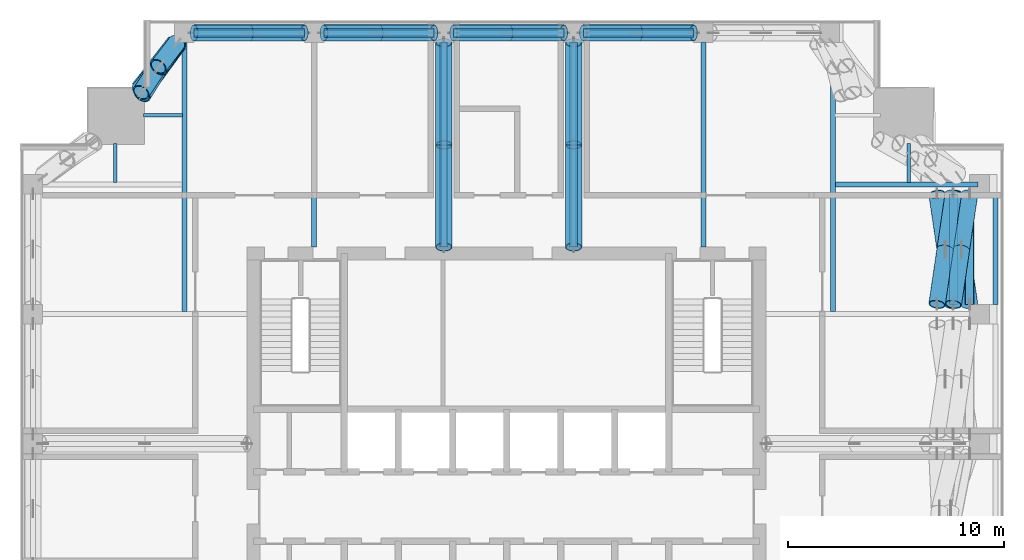
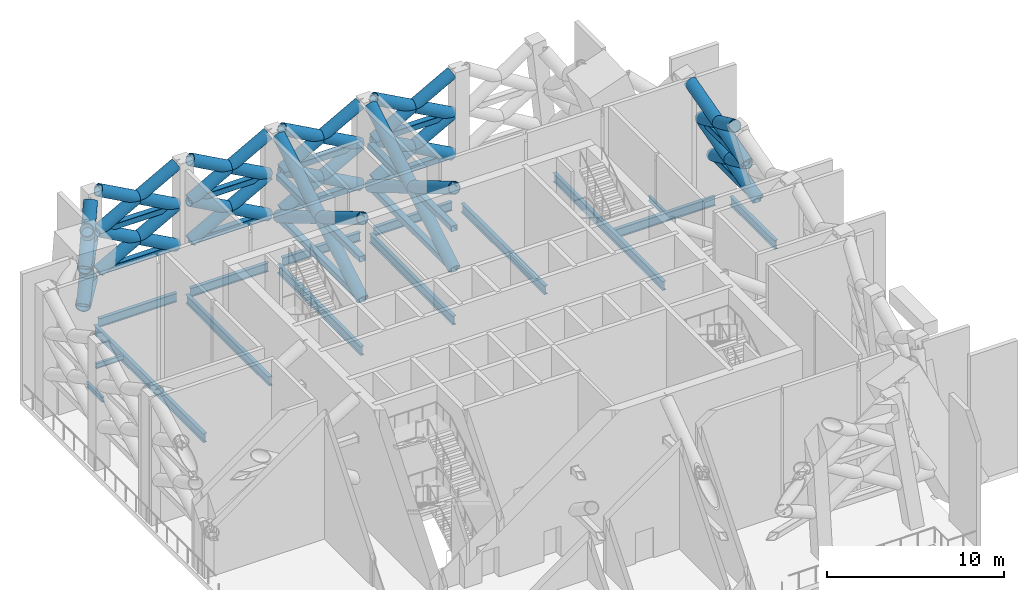
# One storey, part 5 of 18: 44 members, 31 beams.
"""IFC4 building model written with IfcOpenShell, lengths in metres."""

from ifc_helpers import new_model, si_unit, direction, frame, origin, origin_2d, place, context, subcontext, project, spatial, hollow_rectangle, hollow_circle, i_section, extrude, material, material_profile, profile_set, type_object, element, save


model = new_model("IFC4")

# Units and contexts
model_context = context("Model", 3, precision=1e-05, world=origin(), true_north=direction((0.0, 1.0)))
body_context = subcontext(model_context, "Body", "Model", "MODEL_VIEW")
ifc_project = project(units=[si_unit("LENGTHUNIT", "METRE"), si_unit("AREAUNIT", "SQUARE_METRE"), si_unit("VOLUMEUNIT", "CUBIC_METRE"), si_unit("PLANEANGLEUNIT", "RADIAN"), si_unit("MASSUNIT", "GRAM", prefix="KILO")], contexts=[model_context])

# Site, building, storey
site_placement = place(None, origin())
site = spatial("IfcSite", under=ifc_project, at=site_placement, CompositionType="ELEMENT")
building_placement = place(site_placement, origin())
building = spatial("IfcBuilding", under=site, at=building_placement, Name="Amberfall Residences", CompositionType="ELEMENT")
storey_placement = place(building_placement, frame((0.0, 0.0, 229.89990234375)))
storey = spatial("IfcBuildingStorey", under=building, at=storey_placement, Name="L62", CompositionType="ELEMENT", Elevation=229.89990234375)

# Beams
ifc_material = material(Name="Steel S355", Category="steel")
ifc_material_profile_1 = material_profile(ifc_material, hollow_circle(Radius=0.457275390625, WallThickness=0.06005859375, at=origin_2d()), Name="CHS 914.4x60")
ifc_profile_set_1 = profile_set([ifc_material_profile_1], Name="Steel S355")
beam_type_1 = type_object("IfcBeamType", Name="Belt truss chord BT CHS 914.4x60", PredefinedType="BEAM", material=ifc_profile_set_1)
beam_1_placement = place(storey_placement, frame((57.54638671875, 64.768798828125, 3.0), z_axis=(0.615277542483, 0.788310564255, 0.0), x_axis=(-0.788310564255, 0.615277542483, 0.0)))
element("IfcBeam", 1, at=beam_1_placement, inside=storey, type_object=beam_type_1, Name="Belt truss chord BT2 L62 NWN", PredefinedType="BEAM", context=body_context, shape_type="SweptSolid", body=[
    extrude(hollow_circle(Radius=0.457275390625, WallThickness=0.06005859375, at=origin_2d()), origin(), (0.0, 0.0, 1.0), 2.766845703125),
])
beam_2_placement = place(storey_placement, frame((57.59814453125, 64.64794921875, 5.646484375), z_axis=(0.588258385933, 0.808673031194, 0.0), x_axis=(-0.808673031194, 0.588258385933, 0.0)))
element("IfcBeam", 2, at=beam_2_placement, inside=storey, type_object=beam_type_1, Name="Belt truss chord BT2 L62 NWNm", PredefinedType="BEAM", context=body_context, shape_type="SweptSolid", body=[
    extrude(hollow_circle(Radius=0.457275390625, WallThickness=0.06005859375, at=origin_2d()), origin(), (0.0, 0.0, 1.0), 2.8466796875),
])
ifc_material_profile_2 = material_profile(ifc_material, hollow_rectangle(XDim=0.39990234375, YDim=0.39990234375, WallThickness=0.02001953125, InnerFilletRadius=0.02001953125, OuterFilletRadius=0.030029296875, at=origin_2d()), Name="RHS 400x400x20")
ifc_profile_set_2 = profile_set([ifc_material_profile_2], Name="Steel S355")
beam_type_2 = type_object("IfcBeamType", Name="Belt truss chord BT RHS 400x400x20", PredefinedType="BEAM", material=ifc_profile_set_2)
for number, where, z_axis, x_axis, name in (
    (3, (95.907958984375, 54.85009765625, 2.900146484375), (0.0, 1.0, 0.0), (-1.0, 0.0, 0.0), "Belt truss chord BT3 L62 E5"),
    (4, (95.155517578125, 54.85009765625, 5.7001953125), (0.0, 1.0, 0.0), (-1.0, 0.0, 0.0), "Belt truss chord BT3 L62 E5m"),
    (5, (60.050048828125, 67.39990234375, 2.900146484375), (1.0, 0.0, 0.0), (0.0, 1.0, 0.0), "Belt truss chord BT3 L62 N1"),
    (6, (60.050048828125, 67.39990234375, 5.7001953125), (1.0, 0.0, 0.0), (0.0, 1.0, 0.0), "Belt truss chord BT3 L62 N1m"),
    (7, (66.050048828125, 67.39990234375, 2.900146484375), (1.0, 0.0, 0.0), (0.0, 1.0, 0.0), "Belt truss chord BT3 L62 N2"),
    (8, (66.050048828125, 67.39990234375, 5.7001953125), (1.0, 0.0, 0.0), (0.0, 1.0, 0.0), "Belt truss chord BT3 L62 N2m"),
    (9, (72.050048828125, 67.39990234375, 2.900146484375), (1.0, 0.0, 0.0), (0.0, 1.0, 0.0), "Belt truss chord BT3 L62 N3"),
    (10, (72.050048828125, 67.39990234375, 5.7001953125), (1.0, 0.0, 0.0), (0.0, 1.0, 0.0), "Belt truss chord BT3 L62 N3m"),
    (11, (78.050048828125, 67.39990234375, 2.900146484375), (1.0, 0.0, 0.0), (0.0, 1.0, 0.0), "Belt truss chord BT3 L62 N4"),
    (12, (78.050048828125, 67.39990234375, 5.7001953125), (1.0, 0.0, 0.0), (0.0, 1.0, 0.0), "Belt truss chord BT3 L62 N4m"),
):
    element("IfcBeam", number, at=place(storey_placement, frame(where, z_axis=z_axis, x_axis=x_axis)), inside=storey, type_object=beam_type_2, Name=name, PredefinedType="BEAM", context=body_context, shape_type="SweptSolid", body=[
        extrude(hollow_rectangle(XDim=0.39990234375, YDim=0.39990234375, WallThickness=0.02001953125, InnerFilletRadius=0.02001953125, OuterFilletRadius=0.030029296875, at=origin_2d()), origin(), (0.0, 0.0, 1.0), 5.099853515625),
    ])

# Members
ifc_material_profile_3 = material_profile(ifc_material, hollow_circle(Radius=0.381103515625, WallThickness=0.0400390625, at=origin_2d()), Name="CHS 762x40")
ifc_profile_set_3 = profile_set([ifc_material_profile_3], Name="Steel S355")
member_type_1 = type_object("IfcMemberType", Name="Belt truss diagonal BT CHS 762x40", PredefinedType="BRACE", material=ifc_profile_set_3)
member_1_placement = place(storey_placement, frame((95.907958984375, 54.85009765625, 2.900146484375), z_axis=(-0.128262331895, 0.86932895878, 0.477300676349), x_axis=(-0.989290251466, -0.145961633157, 0.0)))
element("IfcMember", 13, at=member_1_placement, inside=storey, type_object=member_type_1, Name="Belt truss diagonal BT4 L62 E5d", PredefinedType="BRACE", context=body_context, shape_type="SweptSolid", body=[
    extrude(hollow_circle(Radius=0.381103515625, WallThickness=0.0400390625, at=origin_2d()), origin(), (0.0, 0.0, 1.0), 5.866455078125),
])
member_2_placement = place(storey_placement, frame((95.155517578125, 54.85009765625, 5.7001953125), z_axis=(0.128264424309, 0.86930152335, -0.477350080086), x_axis=(-0.989289242413, 0.145968472095, 0.0)))
element("IfcMember", 14, at=member_2_placement, inside=storey, type_object=member_type_1, Name="Belt truss diagonal BT4 L62 E5e", PredefinedType="BRACE", context=body_context, shape_type="SweptSolid", body=[
    extrude(hollow_circle(Radius=0.381103515625, WallThickness=0.0400390625, at=origin_2d()), origin(), (0.0, 0.0, 1.0), 2.93310546875),
])
member_3_placement = place(storey_placement, frame((95.53173828125, 57.39990234375, 4.300048828125), z_axis=(0.12826023914, 0.869356390535, -0.477251272698), x_axis=(-0.989291260378, 0.145954794853, 0.0)))
element("IfcMember", 15, at=member_3_placement, inside=storey, type_object=member_type_1, Name="Belt truss diagonal BT4 L62 E5e2", PredefinedType="BRACE", context=body_context, shape_type="SweptSolid", body=[
    extrude(hollow_circle(Radius=0.381103515625, WallThickness=0.0400390625, at=origin_2d()), origin(), (0.0, 0.0, 1.0), 2.933349609375),
])
member_4_placement = place(storey_placement, frame((95.155517578125, 54.85009765625, 5.7001953125), z_axis=(-0.128264879615, 0.869346226568, 0.477268539723), x_axis=(-0.989290251466, -0.145961633157, 0.0)))
element("IfcMember", 16, at=member_4_placement, inside=storey, type_object=member_type_1, Name="Belt truss diagonal BT4 L62 E5du", PredefinedType="BRACE", context=body_context, shape_type="SweptSolid", body=[
    extrude(hollow_circle(Radius=0.381103515625, WallThickness=0.0400390625, at=origin_2d()), origin(), (0.0, 0.0, 1.0), 5.8662109375),
])
member_5_placement = place(storey_placement, frame((94.403076171875, 54.85009765625, 8.5), z_axis=(0.128269520372, 0.869336061497, -0.477285807796), x_axis=(-0.989289242413, 0.145968472095, 0.0)))
element("IfcMember", 17, at=member_5_placement, inside=storey, type_object=member_type_1, Name="Belt truss diagonal BT4 L62 E5eu", PredefinedType="BRACE", context=body_context, shape_type="SweptSolid", body=[
    extrude(hollow_circle(Radius=0.381103515625, WallThickness=0.0400390625, at=origin_2d()), origin(), (0.0, 0.0, 1.0), 2.93310546875),
])
member_6_placement = place(storey_placement, frame((94.779296875, 57.39990234375, 7.10009765625), z_axis=(0.12826023914, 0.869356390535, -0.477251272698), x_axis=(-0.989291260378, 0.145954794853, 0.0)))
element("IfcMember", 18, at=member_6_placement, inside=storey, type_object=member_type_1, Name="Belt truss diagonal BT4 L62 E5e2u", PredefinedType="BRACE", context=body_context, shape_type="SweptSolid", body=[
    extrude(hollow_circle(Radius=0.381103515625, WallThickness=0.0400390625, at=origin_2d()), origin(), (0.0, 0.0, 1.0), 2.933349609375),
])
member_7_placement = place(storey_placement, frame((60.050048828125, 67.39990234375, 2.900146484375), z_axis=(0.876569178627, 0.0, 0.481275882506), x_axis=(0.0, 1.0, 0.0)))
element("IfcMember", 19, at=member_7_placement, inside=storey, type_object=member_type_1, Name="Belt truss diagonal BT4 L62 N1d", PredefinedType="BRACE", context=body_context, shape_type="SweptSolid", body=[
    extrude(hollow_circle(Radius=0.381103515625, WallThickness=0.0400390625, at=origin_2d()), origin(), (0.0, 0.0, 1.0), 5.81787109375),
])
member_8_placement = place(storey_placement, frame((60.050048828125, 67.39990234375, 5.7001953125), z_axis=(0.876561195667, 0.0, -0.481290421939), x_axis=(0.0, 1.0, 0.0)))
element("IfcMember", 20, at=member_8_placement, inside=storey, type_object=member_type_1, Name="Belt truss diagonal BT4 L62 N1e", PredefinedType="BRACE", context=body_context, shape_type="SweptSolid", body=[
    extrude(hollow_circle(Radius=0.381103515625, WallThickness=0.0400390625, at=origin_2d()), origin(), (0.0, 0.0, 1.0), 2.9091796875),
])
member_9_placement = place(storey_placement, frame((62.60009765625, 67.39990234375, 4.300048828125), z_axis=(0.876577162254, 0.0, -0.481261341284), x_axis=(0.0, 1.0, 0.0)))
element("IfcMember", 21, at=member_9_placement, inside=storey, type_object=member_type_1, Name="Belt truss diagonal BT4 L62 N1e2", PredefinedType="BRACE", context=body_context, shape_type="SweptSolid", body=[
    extrude(hollow_circle(Radius=0.381103515625, WallThickness=0.0400390625, at=origin_2d()), origin(), (0.0, 0.0, 1.0), 2.908935546875),
])
member_10_placement = place(storey_placement, frame((60.050048828125, 67.39990234375, 5.7001953125), z_axis=(0.876586881471, 0.0, 0.481243638121), x_axis=(0.0, 1.0, 0.0)))
element("IfcMember", 22, at=member_10_placement, inside=storey, type_object=member_type_1, Name="Belt truss diagonal BT4 L62 N1du", PredefinedType="BRACE", context=body_context, shape_type="SweptSolid", body=[
    extrude(hollow_circle(Radius=0.381103515625, WallThickness=0.0400390625, at=origin_2d()), origin(), (0.0, 0.0, 1.0), 5.81787109375),
])
for number, where, z_axis, x_axis, name in (
    (23, (60.050048828125, 67.39990234375, 8.5), (0.876596599616, 0.0, -0.481225936065), (0.0, 1.0, 0.0), "Belt truss diagonal BT4 L62 N1eu"),
    (24, (62.60009765625, 67.39990234375, 7.10009765625), (0.876577162254, 0.0, -0.481261341284), (0.0, 1.0, 0.0), "Belt truss diagonal BT4 L62 N1e2u"),
):
    element("IfcMember", number, at=place(storey_placement, frame(where, z_axis=z_axis, x_axis=x_axis)), inside=storey, type_object=member_type_1, Name=name, PredefinedType="BRACE", context=body_context, shape_type="SweptSolid", body=[
        extrude(hollow_circle(Radius=0.381103515625, WallThickness=0.0400390625, at=origin_2d()), origin(), (0.0, 0.0, 1.0), 2.908935546875),
    ])
member_11_placement = place(storey_placement, frame((66.050048828125, 67.39990234375, 2.900146484375), z_axis=(0.876569178627, 0.0, 0.481275882506), x_axis=(0.0, 1.0, 0.0)))
element("IfcMember", 25, at=member_11_placement, inside=storey, type_object=member_type_1, Name="Belt truss diagonal BT4 L62 N2d", PredefinedType="BRACE", context=body_context, shape_type="SweptSolid", body=[
    extrude(hollow_circle(Radius=0.381103515625, WallThickness=0.0400390625, at=origin_2d()), origin(), (0.0, 0.0, 1.0), 5.81787109375),
])
member_12_placement = place(storey_placement, frame((66.050048828125, 67.39990234375, 5.7001953125), z_axis=(0.876561195667, 0.0, -0.481290421939), x_axis=(0.0, 1.0, 0.0)))
element("IfcMember", 26, at=member_12_placement, inside=storey, type_object=member_type_1, Name="Belt truss diagonal BT4 L62 N2e", PredefinedType="BRACE", context=body_context, shape_type="SweptSolid", body=[
    extrude(hollow_circle(Radius=0.381103515625, WallThickness=0.0400390625, at=origin_2d()), origin(), (0.0, 0.0, 1.0), 2.9091796875),
])
member_13_placement = place(storey_placement, frame((68.60009765625, 67.39990234375, 4.300048828125), z_axis=(0.876577162254, 0.0, -0.481261341284), x_axis=(0.0, 1.0, 0.0)))
element("IfcMember", 27, at=member_13_placement, inside=storey, type_object=member_type_1, Name="Belt truss diagonal BT4 L62 N2e2", PredefinedType="BRACE", context=body_context, shape_type="SweptSolid", body=[
    extrude(hollow_circle(Radius=0.381103515625, WallThickness=0.0400390625, at=origin_2d()), origin(), (0.0, 0.0, 1.0), 2.908935546875),
])
member_14_placement = place(storey_placement, frame((66.050048828125, 67.39990234375, 5.7001953125), z_axis=(0.876586881471, 0.0, 0.481243638121), x_axis=(0.0, 1.0, 0.0)))
element("IfcMember", 28, at=member_14_placement, inside=storey, type_object=member_type_1, Name="Belt truss diagonal BT4 L62 N2du", PredefinedType="BRACE", context=body_context, shape_type="SweptSolid", body=[
    extrude(hollow_circle(Radius=0.381103515625, WallThickness=0.0400390625, at=origin_2d()), origin(), (0.0, 0.0, 1.0), 5.81787109375),
])
for number, where, z_axis, x_axis, name in (
    (29, (66.050048828125, 67.39990234375, 8.5), (0.876596599616, 0.0, -0.481225936065), (0.0, 1.0, 0.0), "Belt truss diagonal BT4 L62 N2eu"),
    (30, (68.60009765625, 67.39990234375, 7.10009765625), (0.876577162254, 0.0, -0.481261341284), (0.0, 1.0, 0.0), "Belt truss diagonal BT4 L62 N2e2u"),
):
    element("IfcMember", number, at=place(storey_placement, frame(where, z_axis=z_axis, x_axis=x_axis)), inside=storey, type_object=member_type_1, Name=name, PredefinedType="BRACE", context=body_context, shape_type="SweptSolid", body=[
        extrude(hollow_circle(Radius=0.381103515625, WallThickness=0.0400390625, at=origin_2d()), origin(), (0.0, 0.0, 1.0), 2.908935546875),
    ])
member_15_placement = place(storey_placement, frame((72.050048828125, 67.39990234375, 2.900146484375), z_axis=(0.876569178627, 0.0, 0.481275882506), x_axis=(0.0, 1.0, 0.0)))
element("IfcMember", 31, at=member_15_placement, inside=storey, type_object=member_type_1, Name="Belt truss diagonal BT4 L62 N3d", PredefinedType="BRACE", context=body_context, shape_type="SweptSolid", body=[
    extrude(hollow_circle(Radius=0.381103515625, WallThickness=0.0400390625, at=origin_2d()), origin(), (0.0, 0.0, 1.0), 5.81787109375),
])
member_16_placement = place(storey_placement, frame((72.050048828125, 67.39990234375, 5.7001953125), z_axis=(0.876561195667, 0.0, -0.481290421939), x_axis=(0.0, 1.0, 0.0)))
element("IfcMember", 32, at=member_16_placement, inside=storey, type_object=member_type_1, Name="Belt truss diagonal BT4 L62 N3e", PredefinedType="BRACE", context=body_context, shape_type="SweptSolid", body=[
    extrude(hollow_circle(Radius=0.381103515625, WallThickness=0.0400390625, at=origin_2d()), origin(), (0.0, 0.0, 1.0), 2.9091796875),
])
member_17_placement = place(storey_placement, frame((74.60009765625, 67.39990234375, 4.300048828125), z_axis=(0.876577162254, 0.0, -0.481261341284), x_axis=(0.0, 1.0, 0.0)))
element("IfcMember", 33, at=member_17_placement, inside=storey, type_object=member_type_1, Name="Belt truss diagonal BT4 L62 N3e2", PredefinedType="BRACE", context=body_context, shape_type="SweptSolid", body=[
    extrude(hollow_circle(Radius=0.381103515625, WallThickness=0.0400390625, at=origin_2d()), origin(), (0.0, 0.0, 1.0), 2.908935546875),
])
member_18_placement = place(storey_placement, frame((72.050048828125, 67.39990234375, 5.7001953125), z_axis=(0.876586881471, 0.0, 0.481243638121), x_axis=(0.0, 1.0, 0.0)))
element("IfcMember", 34, at=member_18_placement, inside=storey, type_object=member_type_1, Name="Belt truss diagonal BT4 L62 N3du", PredefinedType="BRACE", context=body_context, shape_type="SweptSolid", body=[
    extrude(hollow_circle(Radius=0.381103515625, WallThickness=0.0400390625, at=origin_2d()), origin(), (0.0, 0.0, 1.0), 5.81787109375),
])
for number, where, z_axis, x_axis, name in (
    (35, (72.050048828125, 67.39990234375, 8.5), (0.876596599616, 0.0, -0.481225936065), (0.0, 1.0, 0.0), "Belt truss diagonal BT4 L62 N3eu"),
    (36, (74.60009765625, 67.39990234375, 7.10009765625), (0.876577162254, 0.0, -0.481261341284), (0.0, 1.0, 0.0), "Belt truss diagonal BT4 L62 N3e2u"),
):
    element("IfcMember", number, at=place(storey_placement, frame(where, z_axis=z_axis, x_axis=x_axis)), inside=storey, type_object=member_type_1, Name=name, PredefinedType="BRACE", context=body_context, shape_type="SweptSolid", body=[
        extrude(hollow_circle(Radius=0.381103515625, WallThickness=0.0400390625, at=origin_2d()), origin(), (0.0, 0.0, 1.0), 2.908935546875),
    ])
member_19_placement = place(storey_placement, frame((78.050048828125, 67.39990234375, 2.900146484375), z_axis=(0.876569178627, 0.0, 0.481275882506), x_axis=(0.0, 1.0, 0.0)))
element("IfcMember", 37, at=member_19_placement, inside=storey, type_object=member_type_1, Name="Belt truss diagonal BT4 L62 N4d", PredefinedType="BRACE", context=body_context, shape_type="SweptSolid", body=[
    extrude(hollow_circle(Radius=0.381103515625, WallThickness=0.0400390625, at=origin_2d()), origin(), (0.0, 0.0, 1.0), 5.81787109375),
])
member_20_placement = place(storey_placement, frame((78.050048828125, 67.39990234375, 5.7001953125), z_axis=(0.876561195667, 0.0, -0.481290421939), x_axis=(0.0, 1.0, 0.0)))
element("IfcMember", 38, at=member_20_placement, inside=storey, type_object=member_type_1, Name="Belt truss diagonal BT4 L62 N4e", PredefinedType="BRACE", context=body_context, shape_type="SweptSolid", body=[
    extrude(hollow_circle(Radius=0.381103515625, WallThickness=0.0400390625, at=origin_2d()), origin(), (0.0, 0.0, 1.0), 2.9091796875),
])
member_21_placement = place(storey_placement, frame((80.60009765625, 67.39990234375, 4.300048828125), z_axis=(0.876577162254, 0.0, -0.481261341284), x_axis=(0.0, 1.0, 0.0)))
element("IfcMember", 39, at=member_21_placement, inside=storey, type_object=member_type_1, Name="Belt truss diagonal BT4 L62 N4e2", PredefinedType="BRACE", context=body_context, shape_type="SweptSolid", body=[
    extrude(hollow_circle(Radius=0.381103515625, WallThickness=0.0400390625, at=origin_2d()), origin(), (0.0, 0.0, 1.0), 2.908935546875),
])
member_22_placement = place(storey_placement, frame((78.050048828125, 67.39990234375, 5.7001953125), z_axis=(0.876586881471, 0.0, 0.481243638121), x_axis=(0.0, 1.0, 0.0)))
element("IfcMember", 40, at=member_22_placement, inside=storey, type_object=member_type_1, Name="Belt truss diagonal BT4 L62 N4du", PredefinedType="BRACE", context=body_context, shape_type="SweptSolid", body=[
    extrude(hollow_circle(Radius=0.381103515625, WallThickness=0.0400390625, at=origin_2d()), origin(), (0.0, 0.0, 1.0), 5.81787109375),
])
for number, where, z_axis, x_axis, name in (
    (41, (78.050048828125, 67.39990234375, 8.5), (0.876596599616, 0.0, -0.481225936065), (0.0, 1.0, 0.0), "Belt truss diagonal BT4 L62 N4eu"),
    (42, (80.60009765625, 67.39990234375, 7.10009765625), (0.876577162254, 0.0, -0.481261341284), (0.0, 1.0, 0.0), "Belt truss diagonal BT4 L62 N4e2u"),
):
    element("IfcMember", number, at=place(storey_placement, frame(where, z_axis=z_axis, x_axis=x_axis)), inside=storey, type_object=member_type_1, Name=name, PredefinedType="BRACE", context=body_context, shape_type="SweptSolid", body=[
        extrude(hollow_circle(Radius=0.381103515625, WallThickness=0.0400390625, at=origin_2d()), origin(), (0.0, 0.0, 1.0), 2.908935546875),
    ])
ifc_material_profile_4 = material_profile(ifc_material, hollow_circle(Radius=0.406494140625, WallThickness=0.050048828125, at=origin_2d()), Name="CHS 813x50")
ifc_profile_set_4 = profile_set([ifc_material_profile_4], Name="Steel S355")
member_type_2 = type_object("IfcMemberType", Name="Belt truss diagonal BT CHS 813x50", PredefinedType="BRACE", material=ifc_profile_set_4)
member_23_placement = place(storey_placement, frame((57.54638671875, 64.768798828125, 3.0), z_axis=(0.449624888331, 0.568087788481, 0.689284936998), x_axis=(-0.784120566883, 0.620608521204, 0.0)))
element("IfcMember", 43, at=member_23_placement, inside=storey, type_object=member_type_2, Name="Belt truss diagonal BT5 L62 NWNd", PredefinedType="BRACE", context=body_context, shape_type="SweptSolid", body=[
    extrude(hollow_circle(Radius=0.406494140625, WallThickness=0.050048828125, at=origin_2d()), origin(), (0.0, 0.0, 1.0), 3.83935546875),
])
member_24_placement = place(storey_placement, frame((57.59814453125, 64.64794921875, 5.646484375), z_axis=(0.406434346919, 0.608224346336, -0.681816886098), x_axis=(-0.831449510818, 0.555600315839, 0.0)))
element("IfcMember", 44, at=member_24_placement, inside=storey, type_object=member_type_2, Name="Belt truss diagonal BT5 L62 NWNe", PredefinedType="BRACE", context=body_context, shape_type="SweptSolid", body=[
    extrude(hollow_circle(Radius=0.406494140625, WallThickness=0.050048828125, at=origin_2d()), origin(), (0.0, 0.0, 1.0), 1.96728515625),
])
member_25_placement = place(storey_placement, frame((58.397705078125, 65.844482421875, 4.30517578125), z_axis=(0.445480398734, 0.578638911494, -0.683172177748), x_axis=(-0.792376719324, 0.610032076758, 0.0)))
element("IfcMember", 45, at=member_25_placement, inside=storey, type_object=member_type_2, Name="Belt truss diagonal BT5 L62 NWNe2", PredefinedType="BRACE", context=body_context, shape_type="SweptSolid", body=[
    extrude(hollow_circle(Radius=0.406494140625, WallThickness=0.050048828125, at=origin_2d()), origin(), (0.0, 0.0, 1.0), 1.910400390625),
])
member_26_placement = place(storey_placement, frame((57.59814453125, 64.64794921875, 5.646484375), z_axis=(0.435470035118, 0.590798123904, 0.679207939667), x_axis=(-0.804961413473, 0.593327163393, 0.0)))
element("IfcMember", 46, at=member_26_placement, inside=storey, type_object=member_type_2, Name="Belt truss diagonal BT5 L62 NWNdu", PredefinedType="BRACE", context=body_context, shape_type="SweptSolid", body=[
    extrude(hollow_circle(Radius=0.406494140625, WallThickness=0.050048828125, at=origin_2d()), origin(), (0.0, 0.0, 1.0), 3.896484375),
])
member_27_placement = place(storey_placement, frame((57.653076171875, 64.529296875, 8.29296875), z_axis=(0.391940115024, 0.628645521569, -0.671705109737), x_axis=(-0.848582222955, 0.529063522543, 0.0)))
element("IfcMember", 47, at=member_27_placement, inside=storey, type_object=member_type_2, Name="Belt truss diagonal BT5 L62 NWNeu", PredefinedType="BRACE", context=body_context, shape_type="SweptSolid", body=[
    extrude(hollow_circle(Radius=0.406494140625, WallThickness=0.050048828125, at=origin_2d()), origin(), (0.0, 0.0, 1.0), 1.995849609375),
])
member_28_placement = place(storey_placement, frame((58.435302734375, 65.783935546875, 6.952392578125), z_axis=(0.431499875315, 0.600828980905, -0.672913362408), x_axis=(-0.812236957554, 0.583327630739, 0.0)))
element("IfcMember", 48, at=member_28_placement, inside=storey, type_object=member_type_2, Name="Belt truss diagonal BT5 L62 NWNe2u", PredefinedType="BRACE", context=body_context, shape_type="SweptSolid", body=[
    extrude(hollow_circle(Radius=0.406494140625, WallThickness=0.050048828125, at=origin_2d()), origin(), (0.0, 0.0, 1.0), 1.940673828125),
])

# Beams
ifc_material_profile_5 = material_profile(ifc_material, i_section(OverallWidth=0.228271484375, OverallDepth=0.607666015625, WebThickness=0.010986328125, FlangeThickness=0.017333984375, FilletRadius=0.0126953125, at=origin_2d()), Name="UB 610x229x113")
ifc_profile_set_5 = profile_set([ifc_material_profile_5], Name="Steel S355")
beam_type_3 = type_object("IfcBeamType", Name="Edge beam UB 610x229x113", PredefinedType="SPANDREL", material=ifc_profile_set_5)
for number, where, z_axis, x_axis, name in (
    (49, (97.10009765625, 54.85009765625, -0.65380859375), (0.0, 1.0, 0.0), (-1.0, 0.0, 0.0), "Edge beam B12 L62 19"),
    (50, (60.050048828125, 67.39990234375, -0.65380859375), (1.0, 0.0, 0.0), (0.0, 1.0, 0.0), "Edge beam B12 L62 29"),
    (51, (66.050048828125, 67.39990234375, -0.65380859375), (1.0, 0.0, 0.0), (0.0, 1.0, 0.0), "Edge beam B12 L62 30"),
    (52, (72.050048828125, 67.39990234375, -0.65380859375), (1.0, 0.0, 0.0), (0.0, 1.0, 0.0), "Edge beam B12 L62 31"),
    (53, (78.050048828125, 67.39990234375, -0.65380859375), (1.0, 0.0, 0.0), (0.0, 1.0, 0.0), "Edge beam B12 L62 32"),
):
    element("IfcBeam", number, at=place(storey_placement, frame(where, z_axis=z_axis, x_axis=x_axis)), inside=storey, type_object=beam_type_3, Name=name, PredefinedType="SPANDREL", context=body_context, shape_type="SweptSolid", body=[
        extrude(i_section(OverallWidth=0.228271484375, OverallDepth=0.607666015625, WebThickness=0.010986328125, FlangeThickness=0.017333984375, FilletRadius=0.0126953125, at=origin_2d()), origin(), (0.0, 0.0, 1.0), 5.099853515625),
    ])
ifc_material_profile_6 = material_profile(ifc_material, i_section(OverallWidth=0.230224609375, OverallDepth=0.6171875, WebThickness=0.01318359375, FlangeThickness=0.022216796875, FilletRadius=0.0126953125, at=origin_2d()), Name="UB 610x229x140")
ifc_profile_set_6 = profile_set([ifc_material_profile_6], Name="Steel S355")
beam_type_4 = type_object("IfcBeamType", Name="Floor girder UB 610x229x140", PredefinedType="BEAM", material=ifc_profile_set_6)
beam_3_placement = place(storey_placement, frame((96.300048828125, 60.39990234375, -0.658447265625), z_axis=(-1.0, 0.0, 0.0), x_axis=(0.0, -1.0, 0.0)))
element("IfcBeam", 54, at=beam_3_placement, inside=storey, type_object=beam_type_4, Name="Floor girder B13 L62 28", PredefinedType="BEAM", context=body_context, shape_type="SweptSolid", body=[
    extrude(i_section(OverallWidth=0.230224609375, OverallDepth=0.6171875, WebThickness=0.01318359375, FlangeThickness=0.022216796875, FilletRadius=0.0126953125, at=origin_2d()), origin(), (0.0, 0.0, 1.0), 6.580078125),
])
beam_4_placement = place(storey_placement, frame((59.60009765625, 66.949951171875, -0.658447265625), z_axis=(0.0, -1.0, 0.0), x_axis=(1.0, 0.0, 0.0)))
element("IfcBeam", 55, at=beam_4_placement, inside=storey, type_object=beam_type_4, Name="Floor girder B13 L62 34", PredefinedType="BEAM", context=body_context, shape_type="SweptSolid", body=[
    extrude(i_section(OverallWidth=0.230224609375, OverallDepth=0.6171875, WebThickness=0.01318359375, FlangeThickness=0.022216796875, FilletRadius=0.0126953125, at=origin_2d()), origin(), (0.0, 0.0, 1.0), 12.43994140625),
])
for number, where, z_axis, x_axis, name in (
    (56, (65.60009765625, 66.949951171875, -0.658447265625), (0.0, -1.0, 0.0), (1.0, 0.0, 0.0), "Floor girder B13 L62 35"),
    (57, (71.60009765625, 66.949951171875, -0.658447265625), (0.0, -1.0, 0.0), (1.0, 0.0, 0.0), "Floor girder B13 L62 36"),
    (58, (77.60009765625, 66.949951171875, -0.658447265625), (0.0, -1.0, 0.0), (1.0, 0.0, 0.0), "Floor girder B13 L62 37"),
    (59, (83.60009765625, 66.949951171875, -0.658447265625), (0.0, -1.0, 0.0), (1.0, 0.0, 0.0), "Floor girder B13 L62 38"),
):
    element("IfcBeam", number, at=place(storey_placement, frame(where, z_axis=z_axis, x_axis=x_axis)), inside=storey, type_object=beam_type_4, Name=name, PredefinedType="BEAM", context=body_context, shape_type="SweptSolid", body=[
        extrude(i_section(OverallWidth=0.230224609375, OverallDepth=0.6171875, WebThickness=0.01318359375, FlangeThickness=0.022216796875, FilletRadius=0.0126953125, at=origin_2d()), origin(), (0.0, 0.0, 1.0), 9.449951171875),
    ])
beam_5_placement = place(storey_placement, frame((89.60009765625, 66.949951171875, -0.658447265625), z_axis=(0.0, -1.0, 0.0), x_axis=(1.0, 0.0, 0.0)))
element("IfcBeam", 60, at=beam_5_placement, inside=storey, type_object=beam_type_4, Name="Floor girder B13 L62 39", PredefinedType="BEAM", context=body_context, shape_type="SweptSolid", body=[
    extrude(i_section(OverallWidth=0.230224609375, OverallDepth=0.6171875, WebThickness=0.01318359375, FlangeThickness=0.022216796875, FilletRadius=0.0126953125, at=origin_2d()), origin(), (0.0, 0.0, 1.0), 12.43994140625),
])
ifc_material_profile_7 = material_profile(ifc_material, i_section(OverallWidth=0.171142578125, OverallDepth=0.351318359375, WebThickness=0.007080078125, FlangeThickness=0.009765625, FilletRadius=0.01025390625, at=origin_2d()), Name="UB 356x171x45")
ifc_profile_set_7 = profile_set([ifc_material_profile_7], Name="Steel S355")
beam_type_5 = type_object("IfcBeamType", Name="Link beam UB 356x171x45", PredefinedType="BEAM", material=ifc_profile_set_7)
beam_6_placement = place(storey_placement, frame((93.10009765625, 62.300048828125, -0.525634765625), z_axis=(0.0, -1.0, 0.0), x_axis=(1.0, 0.0, 0.0)))
element("IfcBeam", 61, at=beam_6_placement, inside=storey, type_object=beam_type_5, Name="Link beam B7 L62 56", PredefinedType="BEAM", context=body_context, shape_type="SweptSolid", body=[
    extrude(i_section(OverallWidth=0.171142578125, OverallDepth=0.351318359375, WebThickness=0.007080078125, FlangeThickness=0.009765625, FilletRadius=0.01025390625, at=origin_2d()), origin(), (0.0, 0.0, 1.0), 1.814453125),
])
beam_7_placement = place(storey_placement, frame((57.699951171875, 63.60009765625, -0.525634765625), z_axis=(1.0, 0.0, 0.0), x_axis=(0.0, 1.0, 0.0)))
element("IfcBeam", 62, at=beam_7_placement, inside=storey, type_object=beam_type_5, Name="Link beam B7 L62 57", PredefinedType="BEAM", context=body_context, shape_type="SweptSolid", body=[
    extrude(i_section(OverallWidth=0.171142578125, OverallDepth=0.351318359375, WebThickness=0.007080078125, FlangeThickness=0.009765625, FilletRadius=0.01025390625, at=origin_2d()), origin(), (0.0, 0.0, 1.0), 1.8046875),
])
beam_8_placement = place(storey_placement, frame((56.39990234375, 62.300048828125, -0.525634765625), z_axis=(0.0, -1.0, 0.0), x_axis=(1.0, 0.0, 0.0)))
element("IfcBeam", 63, at=beam_8_placement, inside=storey, type_object=beam_type_5, Name="Link beam B7 L62 58", PredefinedType="BEAM", context=body_context, shape_type="SweptSolid", body=[
    extrude(i_section(OverallWidth=0.171142578125, OverallDepth=0.351318359375, WebThickness=0.007080078125, FlangeThickness=0.009765625, FilletRadius=0.01025390625, at=origin_2d()), origin(), (0.0, 0.0, 1.0), 1.821044921875),
])
ifc_material_profile_8 = material_profile(ifc_material, hollow_rectangle(XDim=0.39990234375, YDim=0.39990234375, WallThickness=0.02001953125, InnerFilletRadius=0.02001953125, OuterFilletRadius=0.030029296875, at=origin_2d()), Name="RHS 400x400x20")
ifc_profile_set_8 = profile_set([ifc_material_profile_8], Name="Steel S355")
beam_type_6 = type_object("IfcBeamType", Name="Outrigger truss chord OT RHS 400x400x20", PredefinedType="BEAM", material=ifc_profile_set_8)
for number, where, z_axis, x_axis, name in (
    (64, (71.60009765625, 66.949951171875, 2.900146484375), (0.0, -1.0, 0.0), (1.0, 0.0, 0.0), "Outrigger truss chord OT2 L62 3"),
    (65, (71.60009765625, 66.949951171875, 5.7001953125), (0.0, -1.0, 0.0), (1.0, 0.0, 0.0), "Outrigger truss chord OT2 L62 3m"),
    (66, (77.60009765625, 66.949951171875, 2.900146484375), (0.0, -1.0, 0.0), (1.0, 0.0, 0.0), "Outrigger truss chord OT2 L62 4"),
    (67, (77.60009765625, 66.949951171875, 5.7001953125), (0.0, -1.0, 0.0), (1.0, 0.0, 0.0), "Outrigger truss chord OT2 L62 4m"),
):
    element("IfcBeam", number, at=place(storey_placement, frame(where, z_axis=z_axis, x_axis=x_axis)), inside=storey, type_object=beam_type_6, Name=name, PredefinedType="BEAM", context=body_context, shape_type="SweptSolid", body=[
        extrude(hollow_rectangle(XDim=0.39990234375, YDim=0.39990234375, WallThickness=0.02001953125, InnerFilletRadius=0.02001953125, OuterFilletRadius=0.030029296875, at=origin_2d()), origin(), (0.0, 0.0, 1.0), 9.449951171875),
    ])

# Members
ifc_material_profile_9 = material_profile(ifc_material, hollow_circle(Radius=0.381103515625, WallThickness=0.0400390625, at=origin_2d()), Name="CHS 762x40")
ifc_profile_set_9 = profile_set([ifc_material_profile_9], Name="Steel S355")
member_type_3 = type_object("IfcMemberType", Name="Outrigger truss diagonal OT CHS 762x40", PredefinedType="BRACE", material=ifc_profile_set_9)
member_29_placement = place(storey_placement, frame((71.60009765625, 66.949951171875, 2.900146484375), z_axis=(0.0, -0.860280702481, 0.509820667429), x_axis=(1.0, 0.0, 0.0)))
element("IfcMember", 68, at=member_29_placement, inside=storey, type_object=member_type_3, Name="Outrigger truss diagonal OT3 L62 3.1", PredefinedType="BRACE", context=body_context, shape_type="SweptSolid", body=[
    extrude(hollow_circle(Radius=0.381103515625, WallThickness=0.0400390625, at=origin_2d()), origin(), (0.0, 0.0, 1.0), 5.4921875),
])
member_30_placement = place(storey_placement, frame((71.60009765625, 62.22509765625, 5.7001953125), z_axis=(0.0, -0.86029225567, -0.509801171865), x_axis=(1.0, 0.0, 0.0)))
element("IfcMember", 69, at=member_30_placement, inside=storey, type_object=member_type_3, Name="Outrigger truss diagonal OT3 L62 3.2", PredefinedType="BRACE", context=body_context, shape_type="SweptSolid", body=[
    extrude(hollow_circle(Radius=0.381103515625, WallThickness=0.0400390625, at=origin_2d()), origin(), (0.0, 0.0, 1.0), 5.492431640625),
])
for number, where, z_axis, x_axis, name in (
    (70, (71.60009765625, 66.949951171875, 8.5), (0.0, -0.860300198473, -0.509787768103), (1.0, 0.0, 0.0), "Outrigger truss diagonal OT3 L62 3.1u"),
    (71, (71.60009765625, 62.22509765625, 5.7001953125), (0.0, -0.860311750432, 0.509768272913), (1.0, 0.0, 0.0), "Outrigger truss diagonal OT3 L62 3.2u"),
    (72, (77.60009765625, 66.949951171875, 2.900146484375), (0.0, -0.860280702481, 0.509820667429), (1.0, 0.0, 0.0), "Outrigger truss diagonal OT3 L62 4.1"),
):
    element("IfcMember", number, at=place(storey_placement, frame(where, z_axis=z_axis, x_axis=x_axis)), inside=storey, type_object=member_type_3, Name=name, PredefinedType="BRACE", context=body_context, shape_type="SweptSolid", body=[
        extrude(hollow_circle(Radius=0.381103515625, WallThickness=0.0400390625, at=origin_2d()), origin(), (0.0, 0.0, 1.0), 5.4921875),
    ])
member_31_placement = place(storey_placement, frame((77.60009765625, 62.22509765625, 5.7001953125), z_axis=(0.0, -0.86029225567, -0.509801171865), x_axis=(1.0, 0.0, 0.0)))
element("IfcMember", 73, at=member_31_placement, inside=storey, type_object=member_type_3, Name="Outrigger truss diagonal OT3 L62 4.2", PredefinedType="BRACE", context=body_context, shape_type="SweptSolid", body=[
    extrude(hollow_circle(Radius=0.381103515625, WallThickness=0.0400390625, at=origin_2d()), origin(), (0.0, 0.0, 1.0), 5.492431640625),
])
for number, where, z_axis, x_axis, name in (
    (74, (77.60009765625, 66.949951171875, 8.5), (0.0, -0.860300198473, -0.509787768103), (1.0, 0.0, 0.0), "Outrigger truss diagonal OT3 L62 4.1u"),
    (75, (77.60009765625, 62.22509765625, 5.7001953125), (0.0, -0.860311750432, 0.509768272913), (1.0, 0.0, 0.0), "Outrigger truss diagonal OT3 L62 4.2u"),
):
    element("IfcMember", number, at=place(storey_placement, frame(where, z_axis=z_axis, x_axis=x_axis)), inside=storey, type_object=member_type_3, Name=name, PredefinedType="BRACE", context=body_context, shape_type="SweptSolid", body=[
        extrude(hollow_circle(Radius=0.381103515625, WallThickness=0.0400390625, at=origin_2d()), origin(), (0.0, 0.0, 1.0), 5.4921875),
    ])

save(model, "model.ifc")
